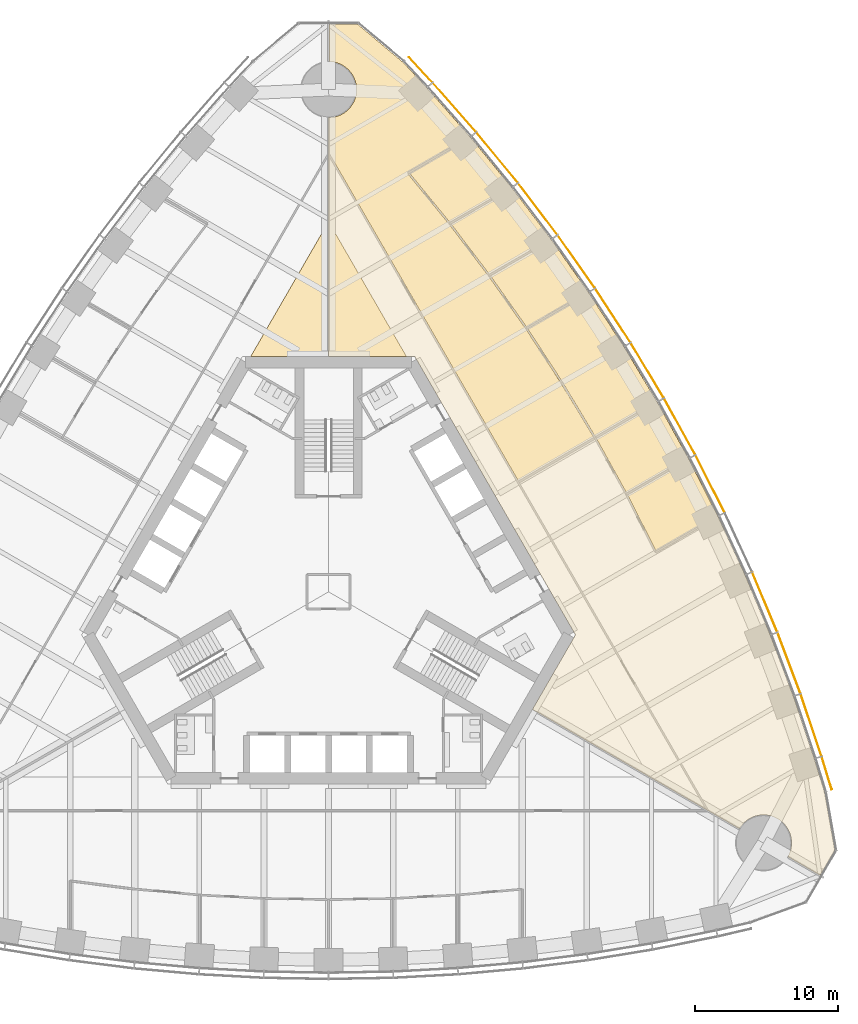
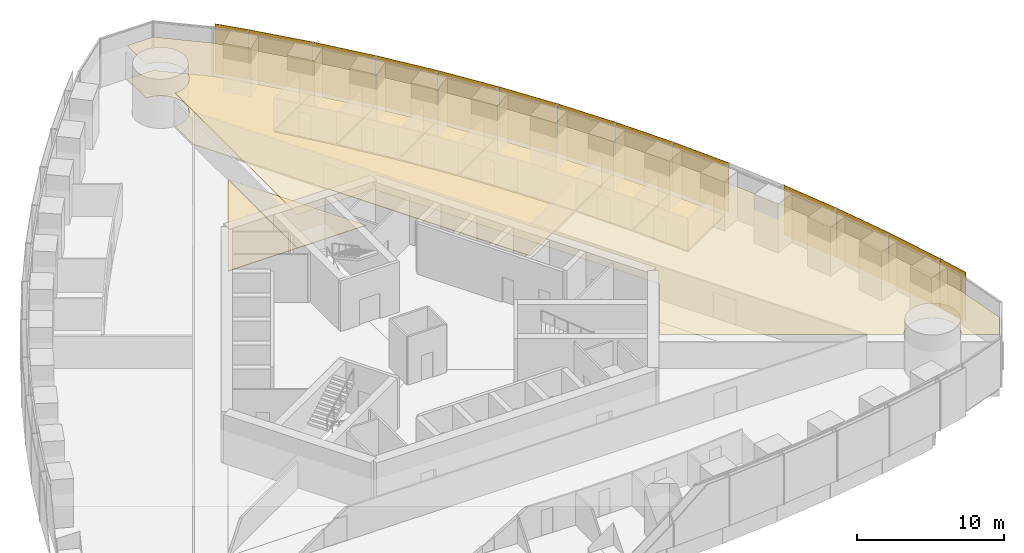
# One storey, part 17 of 19: 13 shading devices, 10 coverings.
"""IFC4 building model written with IfcOpenShell, lengths in metres."""

from ifc_helpers import new_model, si_unit, direction, frame, origin, origin_2d, place, context, subcontext, project, spatial, polyline, rectangle, outline, extrude, material, layer, layer_set, type_object, element, save


model = new_model("IFC4")

# Units and contexts
model_context = context("Model", 3, precision=1e-05, world=origin(), true_north=direction((0.0, 1.0)))
body_context = subcontext(model_context, "Body", "Model", "MODEL_VIEW")
ifc_project = project(units=[si_unit("LENGTHUNIT", "METRE"), si_unit("AREAUNIT", "SQUARE_METRE"), si_unit("VOLUMEUNIT", "CUBIC_METRE"), si_unit("PLANEANGLEUNIT", "RADIAN"), si_unit("MASSUNIT", "GRAM", prefix="KILO")], contexts=[model_context])

# Site, building, storey
site_placement = place(None, origin())
site = spatial("IfcSite", under=ifc_project, at=site_placement, CompositionType="ELEMENT")
building_placement = place(site_placement, origin())
building = spatial("IfcBuilding", under=site, at=building_placement, Name="Trefoil Bronze Tower", CompositionType="ELEMENT")
storey_placement = place(building_placement, frame((0.0, 0.0, 166.10009765625)))
storey = spatial("IfcBuildingStorey", under=building, at=storey_placement, Name="L38", CompositionType="ELEMENT", Elevation=166.10009765625)

# Shading devices
ifc_material_1 = material(Name="Perforated bronze sheet", Category="bronze")
ifc_layer_1 = layer(ifc_material_1, 0.0400390625)
ifc_layer_set_1 = layer_set([ifc_layer_1], Name="Bronze solar screen panel")
shading_device_type = type_object("IfcShadingDeviceType", Name="Bronze solar screen panel", PredefinedType="SHUTTER", material=ifc_layer_set_1)
shading_device_1_placement = place(storey_placement, frame((34.717529296875, -12.634765625, 0.0498046875), z_axis=(0.0, 0.0, 1.0), x_axis=(-0.291668676391, 0.956519410787, 0.0)))
element("IfcShadingDevice", 1, at=shading_device_1_placement, inside=storey, type_object=shading_device_type, Name="Solar screen CW-A L38 F2 bay 1", PredefinedType="SHUTTER", context=body_context, shape_type="SweptSolid", body=[
    extrude(rectangle(XDim=2.39013671875, YDim=0.0400390625, at=origin_2d()), origin(), (0.0, 0.0, 1.0), 4.10009765625),
])
shading_device_2_placement = place(storey_placement, frame((33.62890625, -9.286865234375, 0.0498046875), z_axis=(0.0, 0.0, 1.0), x_axis=(-0.318403749569, 0.947955195281, 0.0)))
element("IfcShadingDevice", 2, at=shading_device_2_placement, inside=storey, type_object=shading_device_type, Name="Solar screen CW-A L38 F2 bay 2", PredefinedType="SHUTTER", context=body_context, shape_type="SweptSolid", body=[
    extrude(rectangle(XDim=4.56103515625, YDim=0.0400390625, at=origin_2d()), origin(), (0.0, 0.0, 1.0), 4.10009765625),
])
shading_device_3_placement = place(storey_placement, frame((32.086669921875, -4.95849609375, 0.0498046875), z_axis=(0.0, 0.0, 1.0), x_axis=(-0.352919739707, 0.935653599002, 0.0)))
element("IfcShadingDevice", 3, at=shading_device_3_placement, inside=storey, type_object=shading_device_type, Name="Solar screen CW-A L38 F2 bay 3", PredefinedType="SHUTTER", context=body_context, shape_type="SweptSolid", body=[
    extrude(rectangle(XDim=4.5302734375, YDim=0.0400390625, at=origin_2d()), origin(), (0.0, 0.0, 1.0), 4.10009765625),
])
shading_device_4_placement = place(storey_placement, frame((30.3974609375, -0.715087890625, 0.0498046875), z_axis=(0.0, 0.0, 1.0), x_axis=(-0.386759234303, 0.922180727776, 0.0)))
element("IfcShadingDevice", 4, at=shading_device_4_placement, inside=storey, type_object=shading_device_type, Name="Solar screen CW-A L38 F2 bay 4", PredefinedType="SHUTTER", context=body_context, shape_type="SweptSolid", body=[
    extrude(rectangle(XDim=4.50634765625, YDim=0.0400390625, at=origin_2d()), origin(), (0.0, 0.0, 1.0), 4.10009765625),
])
shading_device_5_placement = place(storey_placement, frame((26.5869140625, 7.52197265625, 0.0498046875), z_axis=(0.0, 0.0, 1.0), x_axis=(-0.452448919686, 0.891790320128, 0.0)))
element("IfcShadingDevice", 5, at=shading_device_5_placement, inside=storey, type_object=shading_device_type, Name="Solar screen CW-A L38 F2 bay 6", PredefinedType="SHUTTER", context=body_context, shape_type="SweptSolid", body=[
    extrude(rectangle(XDim=4.4765625, YDim=0.0400390625, at=origin_2d()), origin(), (0.0, 0.0, 1.0), 4.10009765625),
])
for number, where, z_axis, x_axis, name in (
    (6, (24.468505859375, 11.517578125, 0.0498046875), (0.0, 0.0, 1.0), (-0.484312195836, 0.874895249138, 0.0), "Solar screen CW-A L38 F2 bay 7"),
    (7, (22.208740234375, 15.431396484375, 0.0498046875), (0.0, 0.0, 1.0), (-0.515525413486, 0.856874289526, 0.0), "Solar screen CW-A L38 F2 bay 8"),
):
    element("IfcShadingDevice", number, at=place(storey_placement, frame(where, z_axis=z_axis, x_axis=x_axis)), inside=storey, type_object=shading_device_type, Name=name, PredefinedType="SHUTTER", context=body_context, shape_type="SweptSolid", body=[
        extrude(rectangle(XDim=4.470703125, YDim=0.0400390625, at=origin_2d()), origin(), (0.0, 0.0, 1.0), 4.10009765625),
    ])
shading_device_6_placement = place(storey_placement, frame((19.8076171875, 19.263916015625, 0.0498046875), z_axis=(0.0, 0.0, 1.0), x_axis=(-0.546088612237, 0.837727418427, 0.0)))
element("IfcShadingDevice", 8, at=shading_device_6_placement, inside=storey, type_object=shading_device_type, Name="Solar screen CW-A L38 F2 bay 9", PredefinedType="SHUTTER", context=body_context, shape_type="SweptSolid", body=[
    extrude(rectangle(XDim=4.4765625, YDim=0.0400390625, at=origin_2d()), origin(), (0.0, 0.0, 1.0), 4.10009765625),
])
shading_device_7_placement = place(storey_placement, frame((17.264892578125, 23.014404296875, 0.0498046875), z_axis=(0.0, 0.0, 1.0), x_axis=(-0.575999283275, 0.817450197667, 0.0)))
element("IfcShadingDevice", 9, at=shading_device_7_placement, inside=storey, type_object=shading_device_type, Name="Solar screen CW-A L38 F2 bay 10", PredefinedType="SHUTTER", context=body_context, shape_type="SweptSolid", body=[
    extrude(rectangle(XDim=4.48828125, YDim=0.0400390625, at=origin_2d()), origin(), (0.0, 0.0, 1.0), 4.10009765625),
])
shading_device_8_placement = place(storey_placement, frame((14.579345703125, 26.6826171875, 0.0498046875), z_axis=(0.0, 0.0, 1.0), x_axis=(-0.605252319983, 0.796033685943, 0.0)))
element("IfcShadingDevice", 10, at=shading_device_8_placement, inside=storey, type_object=shading_device_type, Name="Solar screen CW-A L38 F2 bay 11", PredefinedType="SHUTTER", context=body_context, shape_type="SweptSolid", body=[
    extrude(rectangle(XDim=4.50634765625, YDim=0.0400390625, at=origin_2d()), origin(), (0.0, 0.0, 1.0), 4.10009765625),
])
shading_device_9_placement = place(storey_placement, frame((11.7490234375, 30.26708984375, 0.0498046875), z_axis=(0.0, 0.0, 1.0), x_axis=(-0.633839916024, 0.773464259584, 0.0)))
element("IfcShadingDevice", 11, at=shading_device_9_placement, inside=storey, type_object=shading_device_type, Name="Solar screen CW-A L38 F2 bay 12", PredefinedType="SHUTTER", context=body_context, shape_type="SweptSolid", body=[
    extrude(rectangle(XDim=4.5302734375, YDim=0.0400390625, at=origin_2d()), origin(), (0.0, 0.0, 1.0), 4.10009765625),
])
shading_device_10_placement = place(storey_placement, frame((8.77197265625, 33.766845703125, 0.0498046875), z_axis=(0.0, 0.0, 1.0), x_axis=(-0.661751405978, 0.749723333428, 0.0)))
element("IfcShadingDevice", 12, at=shading_device_10_placement, inside=storey, type_object=shading_device_type, Name="Solar screen CW-A L38 F2 bay 13", PredefinedType="SHUTTER", context=body_context, shape_type="SweptSolid", body=[
    extrude(rectangle(XDim=4.56103515625, YDim=0.0400390625, at=origin_2d()), origin(), (0.0, 0.0, 1.0), 4.10009765625),
])
shading_device_11_placement = place(storey_placement, frame((6.416748046875, 36.383544921875, 0.0498046875), z_axis=(0.0, 0.0, 1.0), x_axis=(-0.682535770759, 0.730852188636, 0.0)))
element("IfcShadingDevice", 13, at=shading_device_11_placement, inside=storey, type_object=shading_device_type, Name="Solar screen CW-A L38 F2 bay 14", PredefinedType="SHUTTER", context=body_context, shape_type="SweptSolid", body=[
    extrude(rectangle(XDim=2.39013671875, YDim=0.0400390625, at=origin_2d()), origin(), (0.0, 0.0, 1.0), 4.10009765625),
])

# Coverings
ifc_material_2 = material(Name="Acoustic ceiling panels", Category="mineral fibre")
ifc_layer_2 = layer(ifc_material_2, 0.02001953125)
ifc_layer_set_2 = layer_set([ifc_layer_2], Name="Office ceiling 20")
covering_type_1 = type_object("IfcCoveringType", Name="Office ceiling 20", PredefinedType="CEILING", material=ifc_layer_set_2)
covering_1_placement = place(storey_placement, frame((0.0, 0.0, 2.89990234375)))
element("IfcCovering", 14, at=covering_1_placement, inside=storey, type_object=covering_type_1, Name="Ceiling L38 Open-plan office F2", PredefinedType="CEILING", context=body_context, shape_type="SweptSolid", body=[
    extrude(outline(polyline([(6.847900390625, 35.130615234375), (9.885986328125, 31.6884765625), (12.776611328125, 28.1611328125), (15.522216796875, 24.55029296875), (18.124755859375, 20.856689453125), (20.585693359375, 17.081298828125), (22.906005859375, 13.224853515625), (25.085693359375, 9.287109375), (27.124755859375, 5.268310546875), (29.022216796875, 1.16748046875), (30.776611328125, -3.015625), (32.385986328125, -7.28271484375), (33.847900390625, -11.634765625), (34.5537109375, -13.94970703125), (35.2666015625, -17.99169921875), (34.247802734375, -19.755859375), (32.006103515625, -18.462646484375), (32.030517578125, -18.419189453125), (32.07373046875, -18.333740234375), (32.112548828125, -18.24609375), (32.14697265625, -18.156982421875), (32.177001953125, -18.066162109375), (32.202392578125, -17.973876953125), (32.223388671875, -17.88037109375), (32.23974609375, -17.7861328125), (32.25146484375, -17.691162109375), (32.258544921875, -17.595703125), (32.260986328125, -17.5), (32.258544921875, -17.404296875), (32.25146484375, -17.308837890625), (32.23974609375, -17.2138671875), (32.223388671875, -17.11962890625), (32.202392578125, -17.026123046875), (32.177001953125, -16.933837890625), (32.14697265625, -16.843017578125), (32.112548828125, -16.75390625), (32.07373046875, -16.666259765625), (32.030517578125, -16.580810546875), (31.9833984375, -16.49755859375), (31.932373046875, -16.41650390625), (31.877197265625, -16.33837890625), (31.818359375, -16.262939453125), (31.755615234375, -16.1904296875), (31.689697265625, -16.12109375), (31.620361328125, -16.05517578125), (31.548095703125, -15.99267578125), (31.472412109375, -15.93359375), (31.394287109375, -15.878662109375), (31.3134765625, -15.827392578125), (31.22998046875, -15.7802734375), (31.14453125, -15.7373046875), (31.05712890625, -15.698486328125), (30.9677734375, -15.6640625), (30.876953125, -15.634033203125), (30.78466796875, -15.6083984375), (30.69140625, -15.58740234375), (30.596923828125, -15.571044921875), (30.501953125, -15.559326171875), (30.406494140625, -15.55224609375), (30.310791015625, -15.550048828125), (30.215087890625, -15.55224609375), (30.119873046875, -15.559326171875), (30.02490234375, -15.571044921875), (29.930419921875, -15.58740234375), (29.837158203125, -15.6083984375), (29.744873046875, -15.634033203125), (29.654052734375, -15.6640625), (29.564697265625, -15.698486328125), (29.477294921875, -15.7373046875), (29.3916015625, -15.7802734375), (29.308349609375, -15.827392578125), (29.2275390625, -15.878662109375), (29.1494140625, -15.93359375), (29.07373046875, -15.99267578125), (29.001220703125, -16.05517578125), (28.931884765625, -16.12109375), (28.865966796875, -16.1904296875), (28.803466796875, -16.262939453125), (28.74462890625, -16.33837890625), (28.689453125, -16.41650390625), (28.628662109375, -16.514404296875), (14.205810546875, -8.194580078125), (17.205078125, -3.0), (6.00439453125, 16.39990234375), (0.006103515625, 16.39990234375), (0.012451171875, 33.05029296875), (0.095703125, 33.05224609375), (0.191162109375, 33.059326171875), (0.2861328125, 33.071044921875), (0.38037109375, 33.08740234375), (0.473876953125, 33.1083984375), (0.566162109375, 33.134033203125), (0.656982421875, 33.1640625), (0.74609375, 33.198486328125), (0.833740234375, 33.2373046875), (0.919189453125, 33.2802734375), (1.00244140625, 33.327392578125), (1.08349609375, 33.378662109375), (1.16162109375, 33.43359375), (1.237060546875, 33.49267578125), (1.3095703125, 33.55517578125), (1.37890625, 33.62109375), (1.44482421875, 33.6904296875), (1.50732421875, 33.762939453125), (1.56640625, 33.83837890625), (1.621337890625, 33.91650390625), (1.672607421875, 33.99755859375), (1.7197265625, 34.080810546875), (1.7626953125, 34.166259765625), (1.801513671875, 34.25390625), (1.8359375, 34.343017578125), (1.865966796875, 34.433837890625), (1.8916015625, 34.526123046875), (1.91259765625, 34.61962890625), (1.928955078125, 34.7138671875), (1.940673828125, 34.808837890625), (1.94775390625, 34.904296875), (1.949951171875, 35.0), (1.94775390625, 35.095703125), (1.940673828125, 35.191162109375), (1.928955078125, 35.2861328125), (1.91259765625, 35.38037109375), (1.8916015625, 35.473876953125), (1.865966796875, 35.566162109375), (1.8359375, 35.656982421875), (1.801513671875, 35.74609375), (1.7626953125, 35.833740234375), (1.7197265625, 35.919189453125), (1.672607421875, 36.00244140625), (1.621337890625, 36.08349609375), (1.56640625, 36.16162109375), (1.50732421875, 36.237060546875), (1.44482421875, 36.3095703125), (1.37890625, 36.37890625), (1.3095703125, 36.44482421875), (1.237060546875, 36.50732421875), (1.16162109375, 36.56640625), (1.08349609375, 36.621337890625), (1.00244140625, 36.672607421875), (0.919189453125, 36.7197265625), (0.833740234375, 36.7626953125), (0.74609375, 36.801513671875), (0.656982421875, 36.8359375), (0.566162109375, 36.865966796875), (0.473876953125, 36.8916015625), (0.38037109375, 36.91259765625), (0.2861328125, 36.928955078125), (0.191162109375, 36.940673828125), (0.095703125, 36.94775390625), (0.013916015625, 36.94970703125), (0.014892578125, 39.53759765625), (2.052001953125, 39.53759765625), (5.1962890625, 36.8994140625), (6.847900390625, 35.130615234375)])), origin(), (0.0, 0.0, 1.0), 0.02001953125),
])
ifc_material_3 = material(Name="Raised access floor panels", Category="steel")
ifc_layer_3 = layer(ifc_material_3, 0.050048828125)
ifc_layer_set_3 = layer_set([ifc_layer_3], Name="Raised access floor 150")
covering_type_2 = type_object("IfcCoveringType", Name="Raised access floor 150", PredefinedType="FLOORING", material=ifc_layer_set_3)
covering_2_placement = place(storey_placement, frame((0.0, 0.0, 0.099853515625)))
element("IfcCovering", 15, at=covering_2_placement, inside=storey, type_object=covering_type_2, Name="Raised floor L38 Office F2", PredefinedType="FLOORING", context=body_context, shape_type="SweptSolid", body=[
    extrude(outline(polyline([(9.885986328125, 31.6884765625), (12.776611328125, 28.1611328125), (11.350341796875, 27.337646484375), (11.3203125, 27.3896484375), (8.460693359375, 25.73876953125), (5.647216796875, 29.171875), (8.481201171875, 30.80810546875), (8.451171875, 30.860107421875), (9.885986328125, 31.6884765625)])), origin(), (0.0, 0.0, 1.0), 0.050048828125),
])
covering_3_placement = place(storey_placement, frame((0.0, 0.0, 0.099853515625)))
element("IfcCovering", 16, at=covering_3_placement, inside=storey, type_object=covering_type_2, Name="Raised floor L38 Office F2", PredefinedType="FLOORING", context=body_context, shape_type="SweptSolid", body=[
    extrude(outline(polyline([(12.776611328125, 28.1611328125), (15.522216796875, 24.55029296875), (14.102294921875, 23.73046875), (14.072509765625, 23.782470703125), (11.2080078125, 22.128662109375), (8.53564453125, 25.643310546875), (11.38037109375, 27.28564453125), (11.350341796875, 27.337646484375), (12.776611328125, 28.1611328125)])), origin(), (0.0, 0.0, 1.0), 0.050048828125),
])
covering_4_placement = place(storey_placement, frame((0.0, 0.0, 0.099853515625)))
element("IfcCovering", 17, at=covering_4_placement, inside=storey, type_object=covering_type_2, Name="Raised floor L38 Office F2", PredefinedType="FLOORING", context=body_context, shape_type="SweptSolid", body=[
    extrude(outline(polyline([(18.124755859375, 20.856689453125), (16.709716796875, 20.03955078125), (16.6796875, 20.091552734375), (13.812255859375, 18.43603515625), (11.279052734375, 22.031005859375), (14.13232421875, 23.678466796875), (14.102294921875, 23.73046875), (15.522216796875, 24.55029296875), (18.124755859375, 20.856689453125)])), origin(), (0.0, 0.0, 1.0), 0.050048828125),
])
covering_5_placement = place(storey_placement, frame((0.0, 0.0, 0.099853515625)))
element("IfcCovering", 18, at=covering_5_placement, inside=storey, type_object=covering_type_2, Name="Raised floor L38 Meeting room F2", PredefinedType="FLOORING", context=body_context, shape_type="SweptSolid", body=[
    extrude(outline(polyline([(20.585693359375, 17.081298828125), (22.906005859375, 13.224853515625), (21.494384765625, 12.409912109375), (21.45703125, 12.474853515625), (18.58935546875, 10.819091796875), (16.30712890625, 14.6123046875), (16.255615234375, 14.581298828125), (16.305908203125, 14.6142578125), (13.879638671875, 18.33642578125), (16.739501953125, 19.987548828125), (16.709716796875, 20.03955078125), (18.124755859375, 20.856689453125), (20.585693359375, 17.081298828125)])), origin(), (0.0, 0.0, 1.0), 0.050048828125),
])
covering_6_placement = place(storey_placement, frame((0.0, 0.0, 0.099853515625)))
element("IfcCovering", 19, at=covering_6_placement, inside=storey, type_object=covering_type_2, Name="Raised floor L38 Meeting room F2", PredefinedType="FLOORING", context=body_context, shape_type="SweptSolid", body=[
    extrude(outline(polyline([(22.906005859375, 13.224853515625), (25.085693359375, 9.287109375), (23.67333984375, 8.4716796875), (23.643310546875, 8.523681640625), (20.778564453125, 6.86962890625), (18.664306640625, 10.689208984375), (21.531982421875, 12.344970703125), (21.494384765625, 12.409912109375), (22.906005859375, 13.224853515625)])), origin(), (0.0, 0.0, 1.0), 0.050048828125),
])
covering_7_placement = place(storey_placement, frame((0.0, 0.0, 0.099853515625)))
element("IfcCovering", 20, at=covering_7_placement, inside=storey, type_object=covering_type_2, Name="Raised floor L38 Meeting room F2", PredefinedType="FLOORING", context=body_context, shape_type="SweptSolid", body=[
    extrude(outline(polyline([(25.085693359375, 9.287109375), (27.124755859375, 5.268310546875), (25.709716796875, 4.451171875), (25.6796875, 4.503173828125), (22.819580078125, 2.851806640625), (20.8349609375, 6.763671875), (23.703369140625, 8.419677734375), (23.67333984375, 8.4716796875), (25.085693359375, 9.287109375)])), origin(), (0.0, 0.0, 1.0), 0.050048828125),
])
covering_8_placement = place(storey_placement, frame((0.0, 0.0, 0.099853515625)))
element("IfcCovering", 21, at=covering_8_placement, inside=storey, type_object=covering_type_2, Name="Raised floor L38 Open-plan office F2", PredefinedType="FLOORING", context=body_context, shape_type="SweptSolid", body=[
    extrude(outline(polyline([(2.052001953125, 39.53759765625), (5.1962890625, 36.8994140625), (6.847900390625, 35.130615234375), (9.885986328125, 31.6884765625), (8.451171875, 30.860107421875), (8.421142578125, 30.912109375), (5.52587890625, 29.240478515625), (5.555908203125, 29.1884765625), (5.509521484375, 29.150390625), (8.3994140625, 25.6240234375), (11.143798828125, 22.014892578125), (13.7451171875, 18.322998046875), (15.562255859375, 15.53515625), (16.810546875, 13.542724609375), (18.4853515625, 10.759033203125), (13.22998046875, 7.72509765625), (0.068359375, 30.521484375), (0.011474609375, 30.488525390625), (0.012451171875, 33.05029296875), (0.095703125, 33.05224609375), (0.191162109375, 33.059326171875), (0.2861328125, 33.071044921875), (0.38037109375, 33.08740234375), (0.473876953125, 33.1083984375), (0.566162109375, 33.134033203125), (0.656982421875, 33.1640625), (0.74609375, 33.198486328125), (0.833740234375, 33.2373046875), (0.919189453125, 33.2802734375), (1.00244140625, 33.327392578125), (1.08349609375, 33.378662109375), (1.16162109375, 33.43359375), (1.237060546875, 33.49267578125), (1.3095703125, 33.55517578125), (1.37890625, 33.62109375), (1.44482421875, 33.6904296875), (1.50732421875, 33.762939453125), (1.56640625, 33.83837890625), (1.621337890625, 33.91650390625), (1.672607421875, 33.99755859375), (1.7197265625, 34.080810546875), (1.7626953125, 34.166259765625), (1.801513671875, 34.25390625), (1.8359375, 34.343017578125), (1.865966796875, 34.433837890625), (1.8916015625, 34.526123046875), (1.91259765625, 34.61962890625), (1.928955078125, 34.7138671875), (1.940673828125, 34.808837890625), (1.94775390625, 34.904296875), (1.949951171875, 35.0), (1.94775390625, 35.095703125), (1.940673828125, 35.191162109375), (1.928955078125, 35.2861328125), (1.91259765625, 35.38037109375), (1.8916015625, 35.473876953125), (1.865966796875, 35.566162109375), (1.8359375, 35.656982421875), (1.801513671875, 35.74609375), (1.7626953125, 35.833740234375), (1.7197265625, 35.919189453125), (1.672607421875, 36.00244140625), (1.621337890625, 36.08349609375), (1.56640625, 36.16162109375), (1.50732421875, 36.237060546875), (1.44482421875, 36.3095703125), (1.37890625, 36.37890625), (1.3095703125, 36.44482421875), (1.237060546875, 36.50732421875), (1.16162109375, 36.56640625), (1.08349609375, 36.621337890625), (1.00244140625, 36.672607421875), (0.919189453125, 36.7197265625), (0.833740234375, 36.7626953125), (0.74609375, 36.801513671875), (0.656982421875, 36.8359375), (0.566162109375, 36.865966796875), (0.473876953125, 36.8916015625), (0.38037109375, 36.91259765625), (0.2861328125, 36.928955078125), (0.191162109375, 36.940673828125), (0.095703125, 36.94775390625), (0.013916015625, 36.94970703125), (0.014892578125, 39.53759765625), (2.052001953125, 39.53759765625)])), origin(), (0.0, 0.0, 1.0), 0.050048828125),
])
covering_9_placement = place(storey_placement, frame((0.0, 0.0, 0.099853515625)))
element("IfcCovering", 22, at=covering_9_placement, inside=storey, type_object=covering_type_2, Name="Raised floor L38 Open-plan office F2", PredefinedType="FLOORING", context=body_context, shape_type="SweptSolid", body=[
    extrude(outline(polyline([(0.006103515625, 16.39990234375), (0.009765625, 25.783203125), (5.427001953125, 16.39990234375), (0.006103515625, 16.39990234375)])), origin(), (0.0, 0.0, 1.0), 0.050048828125),
])
covering_10_placement = place(storey_placement, frame((0.0, 0.0, 0.099853515625)))
element("IfcCovering", 23, at=covering_10_placement, inside=storey, type_object=covering_type_2, Name="Raised floor L38 Open-plan office F3", PredefinedType="FLOORING", context=body_context, shape_type="SweptSolid", body=[
    extrude(outline(polyline([(-0.009765625, 25.783203125), (-0.006103515625, 16.39990234375), (-5.427001953125, 16.39990234375), (-0.009765625, 25.783203125)])), origin(), (0.0, 0.0, 1.0), 0.050048828125),
])

save(model, "model.ifc")
